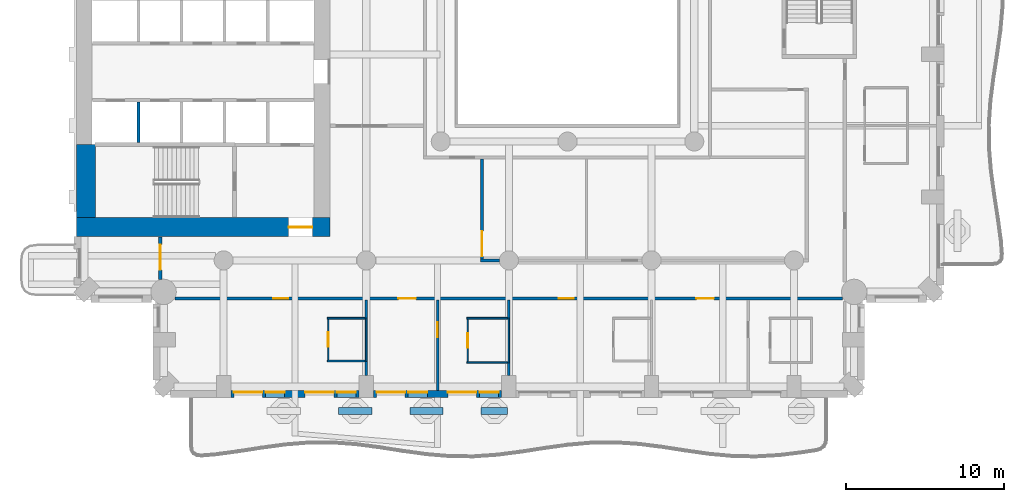
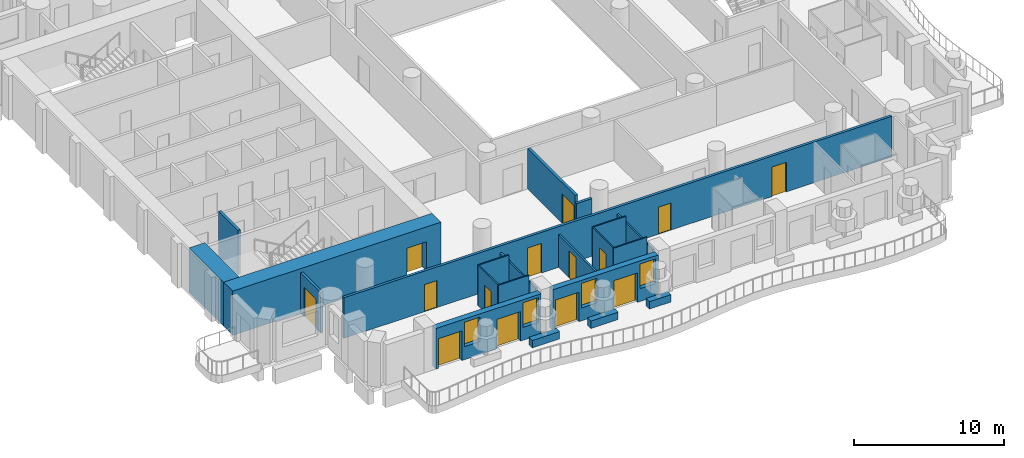
# One storey, part 3 of 19: 25 walls, 14 doors, 4 windows, 18 openings.
"""IFC4 building model written with IfcOpenShell, lengths in metres."""

from ifc_helpers import new_model, si_unit, direction, frame, frame_2d, origin, place, context, subcontext, project, spatial, rectangle, extrude, material, layer, layer_set, type_object, element, fill, save


model = new_model("IFC4")

# Units and contexts
model_context = context("Model", 3, precision=1e-05, world=origin(), true_north=direction((0.0, 1.0)))
body_context = subcontext(model_context, "Body", "Model", "MODEL_VIEW")
ifc_project = project(units=[si_unit("LENGTHUNIT", "METRE"), si_unit("AREAUNIT", "SQUARE_METRE"), si_unit("VOLUMEUNIT", "CUBIC_METRE"), si_unit("PLANEANGLEUNIT", "RADIAN"), si_unit("MASSUNIT", "GRAM", prefix="KILO")], contexts=[model_context])

# Site, building, storey
site_placement = place(None, origin())
site = spatial("IfcSite", under=ifc_project, at=site_placement, CompositionType="ELEMENT")
building_placement = place(site_placement, origin())
building = spatial("IfcBuilding", under=site, at=building_placement, Name="Cypress Arch Tower", CompositionType="ELEMENT")
storey_placement = place(building_placement, frame((0.0, 0.0, 98.699951171875)))
storey = spatial("IfcBuildingStorey", under=building, at=storey_placement, Name="L19", CompositionType="ELEMENT", Elevation=98.699951171875)

# Walls
ifc_material_1 = material(Name="Concrete C40/50, waterproofed", Category="concrete")
ifc_layer_1 = layer(ifc_material_1, 0.449951171875)
ifc_layer_set_1 = layer_set([ifc_layer_1], Name="Balcony planter wall PW450")
wall_type_1 = type_object("IfcWallType", Name="Balcony planter wall PW450", PredefinedType="SOLIDWALL", material=ifc_layer_set_1)
for number, where, z_axis, x_axis, name in (
    (1, (-13.449951171875, -27.0, 0.0), (0.0, 0.0, 1.0), (1.0, 0.0, 0.0), "Balcony planter wall L19-A03.2"),
    (2, (-8.949951171875, -27.0, 0.0), (0.0, 0.0, 1.0), (1.0, 0.0, 0.0), "Balcony planter wall L19-A03.3"),
):
    element("IfcWall", number, at=place(storey_placement, frame(where, z_axis=z_axis, x_axis=x_axis)), inside=storey, type_object=wall_type_1, Name=name, PredefinedType="SOLIDWALL", context=body_context, shape_type="SweptSolid", body=[
        extrude(rectangle(XDim=2.099853515625, YDim=0.449951171875, at=frame_2d((1.0498046875, 0.0))), origin(), (0.0, 0.0, 1.0), 0.60009765625),
    ])
wall_1_placement = place(storey_placement, frame((-4.449951171875, -27.0, 0.0), z_axis=(0.0, 0.0, 1.0), x_axis=(1.0, 0.0, 0.0)))
element("IfcWall", 3, at=wall_1_placement, inside=storey, type_object=wall_type_1, Name="Balcony planter wall L19-A03.4", PredefinedType="SOLIDWALL", context=body_context, shape_type="SweptSolid", body=[
    extrude(rectangle(XDim=1.64990234375, YDim=0.449951171875, at=frame_2d((0.824951171875, 0.0))), origin(), (0.0, 0.0, 1.0), 0.60009765625),
])

# Wall, openings, doors, windows
ifc_material_2 = material(Name="Brick (red buff blend)", Category="masonry")
ifc_layer_2 = layer(ifc_material_2, 0.449951171875)
ifc_layer_set_2 = layer_set([ifc_layer_2], Name="Brick pier and spandrel wall BW450")
wall_type_2 = type_object("IfcWallType", Name="Brick pier and spandrel wall BW450", PredefinedType="SOLIDWALL", material=ifc_layer_set_2)
wall_2_placement = place(storey_placement, frame((-20.25, -25.925048828125, 0.0), z_axis=(0.0, 0.0, 1.0), x_axis=(1.0, 0.0, 0.0)))
wall_2 = element("IfcWall", 4, at=wall_2_placement, inside=storey, type_object=wall_type_2, Name="Brick wall L19 A03.1", PredefinedType="SOLIDWALL", context=body_context, shape_type="SweptSolid", body=[
    extrude(rectangle(XDim=8.10009765625, YDim=0.449951171875, at=frame_2d((4.050048828125, 0.0))), origin(), (0.0, 0.0, 1.0), 3.300048828125),
])
opening_1_placement = place(wall_2_placement, frame((0.199951171875, 0.0, 0.0)))
opening_1 = element("IfcOpeningElement", 5, at=opening_1_placement, cuts=wall_2, Name="Opening D-L19-A03.1.1", PredefinedType="OPENING", context=body_context, shape_type="SweptSolid", body=[
    extrude(rectangle(XDim=1.800048828125, YDim=2.39990234375, at=frame_2d((0.89990234375, 1.199951171875))), frame((0.0, 0.23486328125, 0.0), z_axis=(0.0, -1.0, 0.0), x_axis=(1.0, 0.0, 0.0)), (0.0, 0.0, 1.0), 0.469970703125),
])
opening_2_placement = place(wall_2_placement, frame((2.199951171875, 0.0, 1.050048828125)))
opening_2 = element("IfcOpeningElement", 6, at=opening_2_placement, cuts=wall_2, Name="Opening W120HD", PredefinedType="OPENING", context=body_context, shape_type="SweptSolid", body=[
    extrude(rectangle(XDim=1.199951171875, YDim=2.0, at=frame_2d((0.60009765625, 1.0))), frame((0.0, 0.23486328125, 0.0), z_axis=(0.0, -1.0, 0.0), x_axis=(1.0, 0.0, 0.0)), (0.0, 0.0, 1.0), 0.469970703125),
])
opening_3_placement = place(wall_2_placement, frame((4.699951171875, 0.0, 0.0)))
opening_3 = element("IfcOpeningElement", 7, at=opening_3_placement, cuts=wall_2, Name="Opening D-L19-A03.1.2", PredefinedType="OPENING", context=body_context, shape_type="SweptSolid", body=[
    extrude(rectangle(XDim=1.800048828125, YDim=2.39990234375, at=frame_2d((0.89990234375, 1.199951171875))), frame((0.0, 0.23486328125, 0.0), z_axis=(0.0, -1.0, 0.0), x_axis=(1.0, 0.0, 0.0)), (0.0, 0.0, 1.0), 0.469970703125),
])
opening_4_placement = place(wall_2_placement, frame((6.699951171875, 0.0, 1.050048828125)))
opening_4 = element("IfcOpeningElement", 8, at=opening_4_placement, cuts=wall_2, Name="Opening W120HD", PredefinedType="OPENING", context=body_context, shape_type="SweptSolid", body=[
    extrude(rectangle(XDim=1.199951171875, YDim=2.0, at=frame_2d((0.60009765625, 1.0))), frame((0.0, 0.23486328125, 0.0), z_axis=(0.0, -1.0, 0.0), x_axis=(1.0, 0.0, 0.0)), (0.0, 0.0, 1.0), 0.469970703125),
])
ifc_material_3 = material(Name="Anodised aluminium, bronze finish, laminated low-emissivity double glazing, large-missile impact rated", Category="aluminium")
door_type_1 = type_object("IfcDoorType", Name="Balcony sliding door 1800x2400", OperationType="SLIDING_TO_LEFT", PredefinedType="DOOR", material=ifc_material_3)
door_1_placement = place(opening_1_placement, origin())
door_1 = element("IfcDoor", 9, at=door_1_placement, inside=storey, type_object=door_type_1, Name="Balcony door L19 A03.1.1", OperationType="SLIDING_TO_LEFT", OverallHeight=2.39990234375, OverallWidth=1.800048828125, PredefinedType="DOOR", context=body_context, shape_type="SweptSolid", body=[
    extrude(rectangle(XDim=1.800048828125, YDim=2.39990234375, at=frame_2d((0.89990234375, 1.199951171875))), frame((0.0, 0.1298828125, 0.0), z_axis=(0.0, -1.0, 0.0), x_axis=(1.0, 0.0, 0.0)), (0.0, 0.0, 1.0), 0.050048828125),
])
fill(opening_1, door_1)
door_2_placement = place(opening_3_placement, origin())
door_2 = element("IfcDoor", 10, at=door_2_placement, inside=storey, type_object=door_type_1, Name="Balcony door L19 A03.1.2", OperationType="SLIDING_TO_LEFT", OverallHeight=2.39990234375, OverallWidth=1.800048828125, PredefinedType="DOOR", context=body_context, shape_type="SweptSolid", body=[
    extrude(rectangle(XDim=1.800048828125, YDim=2.39990234375, at=frame_2d((0.89990234375, 1.199951171875))), frame((0.0, 0.1298828125, 0.0), z_axis=(0.0, -1.0, 0.0), x_axis=(1.0, 0.0, 0.0)), (0.0, 0.0, 1.0), 0.050048828125),
])
fill(opening_3, door_2)
ifc_material_4 = material(Name="Anodised aluminium, bronze finish, laminated low-emissivity double glazing, large-missile impact rated", Category="aluminium")
window_type = type_object("IfcWindowType", Name="Window Hotel 1200x2000 debris-rated", PartitioningType="SINGLE_PANEL", PredefinedType="WINDOW", material=ifc_material_4)
window_1_placement = place(opening_2_placement, origin())
window_1 = element("IfcWindow", 11, at=window_1_placement, inside=storey, type_object=window_type, Name="Window L19 A03.1.1", OverallHeight=2.0, OverallWidth=1.199951171875, PartitioningType="SINGLE_PANEL", PredefinedType="WINDOW", context=body_context, shape_type="SweptSolid", body=[
    extrude(rectangle(XDim=1.199951171875, YDim=2.0, at=frame_2d((0.60009765625, 1.0))), frame((0.0, 0.135009765625, 0.0), z_axis=(0.0, -1.0, 0.0), x_axis=(1.0, 0.0, 0.0)), (0.0, 0.0, 1.0), 0.06005859375),
])
fill(opening_2, window_1)
window_2_placement = place(opening_4_placement, origin())
window_2 = element("IfcWindow", 12, at=window_2_placement, inside=storey, type_object=window_type, Name="Window L19 A03.1.2", OverallHeight=2.0, OverallWidth=1.199951171875, PartitioningType="SINGLE_PANEL", PredefinedType="WINDOW", context=body_context, shape_type="SweptSolid", body=[
    extrude(rectangle(XDim=1.199951171875, YDim=2.0, at=frame_2d((0.60009765625, 1.0))), frame((0.0, 0.135009765625, 0.0), z_axis=(0.0, -1.0, 0.0), x_axis=(1.0, 0.0, 0.0)), (0.0, 0.0, 1.0), 0.06005859375),
])
fill(opening_4, window_2)

wall_3_placement = place(storey_placement, frame((-11.25, -25.925048828125, 0.0), z_axis=(0.0, 0.0, 1.0), x_axis=(1.0, 0.0, 0.0)))
wall_3 = element("IfcWall", 13, at=wall_3_placement, inside=storey, type_object=wall_type_2, Name="Brick wall L19 A03.2", PredefinedType="SOLIDWALL", context=body_context, shape_type="SweptSolid", body=[
    extrude(rectangle(XDim=8.10009765625, YDim=0.449951171875, at=frame_2d((4.050048828125, 0.0))), origin(), (0.0, 0.0, 1.0), 3.300048828125),
])
opening_5_placement = place(wall_3_placement, frame((0.199951171875, 0.0, 0.0)))
opening_5 = element("IfcOpeningElement", 14, at=opening_5_placement, cuts=wall_3, Name="Opening D-L19-A03.2.1", PredefinedType="OPENING", context=body_context, shape_type="SweptSolid", body=[
    extrude(rectangle(XDim=1.800048828125, YDim=2.39990234375, at=frame_2d((0.89990234375, 1.199951171875))), frame((0.0, 0.23486328125, 0.0), z_axis=(0.0, -1.0, 0.0), x_axis=(1.0, 0.0, 0.0)), (0.0, 0.0, 1.0), 0.469970703125),
])
opening_6_placement = place(wall_3_placement, frame((2.199951171875, 0.0, 1.050048828125)))
opening_6 = element("IfcOpeningElement", 15, at=opening_6_placement, cuts=wall_3, Name="Opening W120HD", PredefinedType="OPENING", context=body_context, shape_type="SweptSolid", body=[
    extrude(rectangle(XDim=1.199951171875, YDim=2.0, at=frame_2d((0.60009765625, 1.0))), frame((0.0, 0.23486328125, 0.0), z_axis=(0.0, -1.0, 0.0), x_axis=(1.0, 0.0, 0.0)), (0.0, 0.0, 1.0), 0.469970703125),
])
opening_7_placement = place(wall_3_placement, frame((4.699951171875, 0.0, 0.0)))
opening_7 = element("IfcOpeningElement", 16, at=opening_7_placement, cuts=wall_3, Name="Opening D-L19-A03.2.2", PredefinedType="OPENING", context=body_context, shape_type="SweptSolid", body=[
    extrude(rectangle(XDim=1.800048828125, YDim=2.39990234375, at=frame_2d((0.89990234375, 1.199951171875))), frame((0.0, 0.23486328125, 0.0), z_axis=(0.0, -1.0, 0.0), x_axis=(1.0, 0.0, 0.0)), (0.0, 0.0, 1.0), 0.469970703125),
])
opening_8_placement = place(wall_3_placement, frame((6.699951171875, 0.0, 1.050048828125)))
opening_8 = element("IfcOpeningElement", 17, at=opening_8_placement, cuts=wall_3, Name="Opening W120HD", PredefinedType="OPENING", context=body_context, shape_type="SweptSolid", body=[
    extrude(rectangle(XDim=1.199951171875, YDim=2.0, at=frame_2d((0.60009765625, 1.0))), frame((0.0, 0.23486328125, 0.0), z_axis=(0.0, -1.0, 0.0), x_axis=(1.0, 0.0, 0.0)), (0.0, 0.0, 1.0), 0.469970703125),
])
door_3_placement = place(opening_5_placement, origin())
door_3 = element("IfcDoor", 18, at=door_3_placement, inside=storey, type_object=door_type_1, Name="Balcony door L19 A03.2.1", OperationType="SLIDING_TO_LEFT", OverallHeight=2.39990234375, OverallWidth=1.800048828125, PredefinedType="DOOR", context=body_context, shape_type="SweptSolid", body=[
    extrude(rectangle(XDim=1.800048828125, YDim=2.39990234375, at=frame_2d((0.89990234375, 1.199951171875))), frame((0.0, 0.1298828125, 0.0), z_axis=(0.0, -1.0, 0.0), x_axis=(1.0, 0.0, 0.0)), (0.0, 0.0, 1.0), 0.050048828125),
])
fill(opening_5, door_3)
door_4_placement = place(opening_7_placement, origin())
door_4 = element("IfcDoor", 19, at=door_4_placement, inside=storey, type_object=door_type_1, Name="Balcony door L19 A03.2.2", OperationType="SLIDING_TO_LEFT", OverallHeight=2.39990234375, OverallWidth=1.800048828125, PredefinedType="DOOR", context=body_context, shape_type="SweptSolid", body=[
    extrude(rectangle(XDim=1.800048828125, YDim=2.39990234375, at=frame_2d((0.89990234375, 1.199951171875))), frame((0.0, 0.1298828125, 0.0), z_axis=(0.0, -1.0, 0.0), x_axis=(1.0, 0.0, 0.0)), (0.0, 0.0, 1.0), 0.050048828125),
])
fill(opening_7, door_4)
window_3_placement = place(opening_6_placement, origin())
window_3 = element("IfcWindow", 20, at=window_3_placement, inside=storey, type_object=window_type, Name="Window L19 A03.2.1", OverallHeight=2.0, OverallWidth=1.199951171875, PartitioningType="SINGLE_PANEL", PredefinedType="WINDOW", context=body_context, shape_type="SweptSolid", body=[
    extrude(rectangle(XDim=1.199951171875, YDim=2.0, at=frame_2d((0.60009765625, 1.0))), frame((0.0, 0.135009765625, 0.0), z_axis=(0.0, -1.0, 0.0), x_axis=(1.0, 0.0, 0.0)), (0.0, 0.0, 1.0), 0.06005859375),
])
fill(opening_6, window_3)
window_4_placement = place(opening_8_placement, origin())
window_4 = element("IfcWindow", 21, at=window_4_placement, inside=storey, type_object=window_type, Name="Window L19 A03.2.2", OverallHeight=2.0, OverallWidth=1.199951171875, PartitioningType="SINGLE_PANEL", PredefinedType="WINDOW", context=body_context, shape_type="SweptSolid", body=[
    extrude(rectangle(XDim=1.199951171875, YDim=2.0, at=frame_2d((0.60009765625, 1.0))), frame((0.0, 0.135009765625, 0.0), z_axis=(0.0, -1.0, 0.0), x_axis=(1.0, 0.0, 0.0)), (0.0, 0.0, 1.0), 0.06005859375),
])
fill(opening_8, window_4)

# Wall, opening, door
ifc_material_5 = material(Name="Concrete C80/95", Category="concrete")
ifc_layer_3 = layer(ifc_material_5, 1.199951171875)
ifc_layer_set_3 = layer_set([ifc_layer_3], Name="Core wall CW1200 C80/95")
wall_type_3 = type_object("IfcWallType", Name="Core wall CW1200 C80/95", PredefinedType="SHEAR", material=ifc_layer_set_3)
wall_4_placement = place(storey_placement, frame((-30.0, -15.39990234375, 0.0), z_axis=(0.0, 0.0, 1.0), x_axis=(1.0, 0.0, 0.0)))
wall_4 = element("IfcWall", 22, at=wall_4_placement, inside=storey, type_object=wall_type_3, Name="Core wall", PredefinedType="SHEAR", context=body_context, shape_type="SweptSolid", body=[
    extrude(rectangle(XDim=16.0, YDim=1.199951171875, at=frame_2d((8.0, 0.0))), origin(), (0.0, 0.0, 1.0), 3.60009765625),
])
opening_9_placement = place(wall_4_placement, frame((13.39990234375, 0.0, 0.0)))
opening_9 = element("IfcOpeningElement", 23, at=opening_9_placement, cuts=wall_4, Name="Opening D07", PredefinedType="OPENING", context=body_context, shape_type="SweptSolid", body=[
    extrude(rectangle(XDim=1.5, YDim=2.39990234375, at=frame_2d((0.75, 1.199951171875))), frame((0.0, 0.60986328125, 0.0), z_axis=(0.0, -1.0, 0.0), x_axis=(1.0, 0.0, 0.0)), (0.0, 0.0, 1.0), 1.219970703125),
])
ifc_material_6 = material(Name="Steel framed glazed door, fire resisting", Category="steel")
door_type_2 = type_object("IfcDoorType", Name="Lobby door D07 1500x2400", OperationType="DOUBLE_DOOR_SINGLE_SWING", PredefinedType="DOOR", material=ifc_material_6)
door_5_placement = place(opening_9_placement, origin())
door_5 = element("IfcDoor", 24, at=door_5_placement, inside=storey, type_object=door_type_2, Name="Lobby door", OperationType="DOUBLE_DOOR_SINGLE_SWING", OverallHeight=2.39990234375, OverallWidth=1.5, PredefinedType="DOOR", context=body_context, shape_type="SweptSolid", body=[
    extrude(rectangle(XDim=1.5, YDim=2.39990234375, at=frame_2d((0.75, 1.199951171875))), frame((0.0, 0.02490234375, 0.0), z_axis=(0.0, -1.0, 0.0), x_axis=(1.0, 0.0, 0.0)), (0.0, 0.0, 1.0), 0.050048828125),
])
fill(opening_9, door_5)

# Wall
wall_5_placement = place(storey_placement, frame((-29.39990234375, -14.800048828125, 0.0), z_axis=(0.0, 0.0, 1.0), x_axis=(0.0, 1.0, 0.0)))
element("IfcWall", 25, at=wall_5_placement, inside=storey, type_object=wall_type_3, Name="Core wall", PredefinedType="SHEAR", context=body_context, shape_type="SweptSolid", body=[
    extrude(rectangle(XDim=4.60009765625, YDim=1.199951171875, at=frame_2d((2.300048828125, 0.0))), origin(), (0.0, 0.0, 1.0), 3.60009765625),
])

# Wall, opening, door
ifc_material_7 = material(Name="Concrete blockwork, plastered, rated", Category="masonry")
ifc_layer_4 = layer(ifc_material_7, 0.199951171875)
ifc_layer_set_4 = layer_set([ifc_layer_4], Name="Corridor wall FW200")
wall_type_4 = type_object("IfcWallType", Name="Corridor wall FW200", PredefinedType="PARTITIONING", material=ifc_layer_set_4)
wall_6_placement = place(storey_placement, frame((-24.699951171875, -18.7001953125, 0.0), z_axis=(0.0, 0.0, 1.0), x_axis=(0.0, 1.0, 0.0)))
wall_6 = element("IfcWall", 26, at=wall_6_placement, inside=storey, type_object=wall_type_4, Name="Corridor wall", PredefinedType="PARTITIONING", context=body_context, shape_type="SweptSolid", body=[
    extrude(rectangle(XDim=2.670166015625, YDim=0.199951171875, at=frame_2d((1.3349609375, 0.0))), origin(), (0.0, 0.0, 1.0), 3.300048828125),
])
opening_10_placement = place(wall_6_placement, frame((0.60009765625, 0.0, 0.0)))
opening_10 = element("IfcOpeningElement", 27, at=opening_10_placement, cuts=wall_6, Name="Opening D10", PredefinedType="OPENING", context=body_context, shape_type="SweptSolid", body=[
    extrude(rectangle(XDim=1.60009765625, YDim=2.39990234375, at=frame_2d((0.800048828125, 1.199951171875))), frame((0.0, 0.10986328125, 0.0), z_axis=(0.0, -1.0, 0.0), x_axis=(1.0, 0.0, 0.0)), (0.0, 0.0, 1.0), 0.219970703125),
])
ifc_material_8 = material(Name="Black aluminium glazed door", Category="aluminium")
door_type_3 = type_object("IfcDoorType", Name="Amenity door D10 1600x2400", OperationType="DOUBLE_DOOR_SINGLE_SWING", PredefinedType="DOOR", material=ifc_material_8)
door_6_placement = place(opening_10_placement, origin())
door_6 = element("IfcDoor", 28, at=door_6_placement, inside=storey, type_object=door_type_3, Name="Amenity door", OperationType="DOUBLE_DOOR_SINGLE_SWING", OverallHeight=2.39990234375, OverallWidth=1.60009765625, PredefinedType="DOOR", context=body_context, shape_type="SweptSolid", body=[
    extrude(rectangle(XDim=1.60009765625, YDim=2.39990234375, at=frame_2d((0.800048828125, 1.199951171875))), frame((0.0, 0.02490234375, 0.0), z_axis=(0.0, -1.0, 0.0), x_axis=(1.0, 0.0, 0.0)), (0.0, 0.0, 1.0), 0.050048828125),
])
fill(opening_10, door_6)

# Wall, openings, doors
wall_7_placement = place(storey_placement, frame((-23.765380859375, -19.89990234375, 0.0), z_axis=(0.0, 0.0, 1.0), x_axis=(1.0, 0.0, 0.0)))
wall_7 = element("IfcWall", 29, at=wall_7_placement, inside=storey, type_object=wall_type_4, Name="Corridor wall", PredefinedType="PARTITIONING", context=body_context, shape_type="SweptSolid", body=[
    extrude(rectangle(XDim=42.12548828125, YDim=0.199951171875, at=frame_2d((21.062744140625, 0.0))), origin(), (0.0, 0.0, 1.0), 3.300048828125),
])
opening_11_placement = place(wall_7_placement, frame((6.199951171875, 0.0, 0.0)))
opening_11 = element("IfcOpeningElement", 30, at=opening_11_placement, cuts=wall_7, Name="Opening D02", PredefinedType="OPENING", context=body_context, shape_type="SweptSolid", body=[
    extrude(rectangle(XDim=0.949951171875, YDim=2.199951171875, at=frame_2d((0.47509765625, 1.10009765625))), frame((0.0, 0.10986328125, 0.0), z_axis=(0.0, -1.0, 0.0), x_axis=(1.0, 0.0, 0.0)), (0.0, 0.0, 1.0), 0.219970703125),
])
opening_12_placement = place(wall_7_placement, frame((14.10009765625, 0.0, 0.0)))
opening_12 = element("IfcOpeningElement", 31, at=opening_12_placement, cuts=wall_7, Name="Opening D01", PredefinedType="OPENING", context=body_context, shape_type="SweptSolid", body=[
    extrude(rectangle(XDim=1.10009765625, YDim=2.39990234375, at=frame_2d((0.550048828125, 1.199951171875))), frame((0.0, 0.10986328125, 0.0), z_axis=(0.0, -1.0, 0.0), x_axis=(1.0, 0.0, 0.0)), (0.0, 0.0, 1.0), 0.219970703125),
])
opening_13_placement = place(wall_7_placement, frame((24.199951171875, 0.0, 0.0)))
opening_13 = element("IfcOpeningElement", 32, at=opening_13_placement, cuts=wall_7, Name="Opening D02", PredefinedType="OPENING", context=body_context, shape_type="SweptSolid", body=[
    extrude(rectangle(XDim=0.949951171875, YDim=2.199951171875, at=frame_2d((0.47509765625, 1.10009765625))), frame((0.0, 0.10986328125, 0.0), z_axis=(0.0, -1.0, 0.0), x_axis=(1.0, 0.0, 0.0)), (0.0, 0.0, 1.0), 0.219970703125),
])
opening_14_placement = place(wall_7_placement, frame((32.89990234375, 0.0, 0.0)))
opening_14 = element("IfcOpeningElement", 33, at=opening_14_placement, cuts=wall_7, Name="Opening D01", PredefinedType="OPENING", context=body_context, shape_type="SweptSolid", body=[
    extrude(rectangle(XDim=1.10009765625, YDim=2.39990234375, at=frame_2d((0.550048828125, 1.199951171875))), frame((0.0, 0.10986328125, 0.0), z_axis=(0.0, -1.0, 0.0), x_axis=(1.0, 0.0, 0.0)), (0.0, 0.0, 1.0), 0.219970703125),
])
ifc_material_9 = material(Name="Timber flush door, fire resisting", Category="wood")
door_type_4 = type_object("IfcDoorType", Name="Room door D02 950x2200", OperationType="SINGLE_SWING_LEFT", PredefinedType="DOOR", material=ifc_material_9)
door_7_placement = place(opening_11_placement, origin())
door_7 = element("IfcDoor", 34, at=door_7_placement, inside=storey, type_object=door_type_4, Name="Room door", OperationType="SINGLE_SWING_RIGHT", OverallHeight=2.199951171875, OverallWidth=0.949951171875, PredefinedType="DOOR", context=body_context, shape_type="SweptSolid", body=[
    extrude(rectangle(XDim=0.949951171875, YDim=2.199951171875, at=frame_2d((0.47509765625, 1.10009765625))), frame((0.0, 0.02490234375, 0.0), z_axis=(0.0, -1.0, 0.0), x_axis=(1.0, 0.0, 0.0)), (0.0, 0.0, 1.0), 0.050048828125),
])
fill(opening_11, door_7)
door_8_placement = place(opening_13_placement, origin())
door_8 = element("IfcDoor", 35, at=door_8_placement, inside=storey, type_object=door_type_4, Name="Room door", OperationType="SINGLE_SWING_LEFT", OverallHeight=2.199951171875, OverallWidth=0.949951171875, PredefinedType="DOOR", context=body_context, shape_type="SweptSolid", body=[
    extrude(rectangle(XDim=0.949951171875, YDim=2.199951171875, at=frame_2d((0.47509765625, 1.10009765625))), frame((0.0, 0.02490234375, 0.0), z_axis=(0.0, -1.0, 0.0), x_axis=(1.0, 0.0, 0.0)), (0.0, 0.0, 1.0), 0.050048828125),
])
fill(opening_13, door_8)
ifc_material_10 = material(Name="Timber flush door, fire resisting, self-closing", Category="wood")
door_type_5 = type_object("IfcDoorType", Name="Unit entrance door D01 1100x2400", OperationType="SINGLE_SWING_LEFT", PredefinedType="DOOR", material=ifc_material_10)
door_9_placement = place(opening_12_placement, origin())
door_9 = element("IfcDoor", 36, at=door_9_placement, inside=storey, type_object=door_type_5, Name="Unit entrance door", OperationType="SINGLE_SWING_LEFT", OverallHeight=2.39990234375, OverallWidth=1.10009765625, PredefinedType="DOOR", context=body_context, shape_type="SweptSolid", body=[
    extrude(rectangle(XDim=1.10009765625, YDim=2.39990234375, at=frame_2d((0.550048828125, 1.199951171875))), frame((0.0, 0.02490234375, 0.0), z_axis=(0.0, -1.0, 0.0), x_axis=(1.0, 0.0, 0.0)), (0.0, 0.0, 1.0), 0.050048828125),
])
fill(opening_12, door_9)
door_10_placement = place(opening_14_placement, origin())
door_10 = element("IfcDoor", 37, at=door_10_placement, inside=storey, type_object=door_type_5, Name="Unit entrance door", OperationType="SINGLE_SWING_LEFT", OverallHeight=2.39990234375, OverallWidth=1.10009765625, PredefinedType="DOOR", context=body_context, shape_type="SweptSolid", body=[
    extrude(rectangle(XDim=1.10009765625, YDim=2.39990234375, at=frame_2d((0.550048828125, 1.199951171875))), frame((0.0, 0.02490234375, 0.0), z_axis=(0.0, -1.0, 0.0), x_axis=(1.0, 0.0, 0.0)), (0.0, 0.0, 1.0), 0.050048828125),
])
fill(opening_14, door_10)

# Wall, opening, door
wall_8_placement = place(storey_placement, frame((-4.39990234375, -17.39990234375, 0.0), z_axis=(0.0, 0.0, 1.0), x_axis=(0.0, 1.0, 0.0)))
wall_8 = element("IfcWall", 38, at=wall_8_placement, inside=storey, type_object=wall_type_4, Name="Corridor wall", PredefinedType="PARTITIONING", context=body_context, shape_type="SweptSolid", body=[
    extrude(rectangle(XDim=6.2998046875, YDim=0.199951171875, at=frame_2d((3.14990234375, 0.0))), origin(), (0.0, 0.0, 1.0), 3.300048828125),
])
opening_15_placement = place(wall_8_placement, frame((0.14990234375, 0.0, 0.0)))
opening_15 = element("IfcOpeningElement", 39, at=opening_15_placement, cuts=wall_8, Name="Opening D10", PredefinedType="OPENING", context=body_context, shape_type="SweptSolid", body=[
    extrude(rectangle(XDim=1.60009765625, YDim=2.39990234375, at=frame_2d((0.800048828125, 1.199951171875))), frame((0.0, 0.10986328125, 0.0), z_axis=(0.0, -1.0, 0.0), x_axis=(1.0, 0.0, 0.0)), (0.0, 0.0, 1.0), 0.219970703125),
])
door_11_placement = place(opening_15_placement, origin())
door_11 = element("IfcDoor", 40, at=door_11_placement, inside=storey, type_object=door_type_3, Name="Amenity door", OperationType="DOUBLE_DOOR_SINGLE_SWING", OverallHeight=2.39990234375, OverallWidth=1.60009765625, PredefinedType="DOOR", context=body_context, shape_type="SweptSolid", body=[
    extrude(rectangle(XDim=1.60009765625, YDim=2.39990234375, at=frame_2d((0.800048828125, 1.199951171875))), frame((0.0, 0.02490234375, 0.0), z_axis=(0.0, -1.0, 0.0), x_axis=(1.0, 0.0, 0.0)), (0.0, 0.0, 1.0), 0.050048828125),
])
fill(opening_15, door_11)

# Walls
wall_9_placement = place(storey_placement, frame((-4.5, -17.5, 0.0), z_axis=(0.0, 0.0, 1.0), x_axis=(1.0, 0.0, 0.0)))
element("IfcWall", 41, at=wall_9_placement, inside=storey, type_object=wall_type_4, Name="Corridor wall", PredefinedType="PARTITIONING", context=body_context, shape_type="SweptSolid", body=[
    extrude(rectangle(XDim=1.199951171875, YDim=0.199951171875, at=frame_2d((0.60009765625, 0.0))), origin(), (0.0, 0.0, 1.0), 2.75),
])
ifc_material_11 = material(Name="Blockwork, plastered both sides", Category="masonry")
ifc_layer_5 = layer(ifc_material_11, 0.14990234375)
ifc_layer_set_5 = layer_set([ifc_layer_5], Name="Partition PW150")
wall_type_5 = type_object("IfcWallType", Name="Partition PW150", PredefinedType="PARTITIONING", material=ifc_layer_set_5)
wall_10_placement = place(storey_placement, frame((-11.699951171875, -24.75, 0.0), z_axis=(0.0, 0.0, 1.0), x_axis=(0.0, 1.0, 0.0)))
element("IfcWall", 42, at=wall_10_placement, inside=storey, type_object=wall_type_5, Name="Partition", PredefinedType="PARTITIONING", context=body_context, shape_type="SweptSolid", body=[
    extrude(rectangle(XDim=0.8798828125, YDim=0.14990234375, at=frame_2d((0.43994140625, 0.0))), origin(), (0.0, 0.0, 1.0), 2.75),
])
wall_11_placement = place(storey_placement, frame((-11.699951171875, -21.1298828125, 0.0), z_axis=(0.0, 0.0, 1.0), x_axis=(0.0, 1.0, 0.0)))
element("IfcWall", 43, at=wall_11_placement, inside=storey, type_object=wall_type_5, Name="Partition", PredefinedType="PARTITIONING", context=body_context, shape_type="SweptSolid", body=[
    extrude(rectangle(XDim=1.1298828125, YDim=0.14990234375, at=frame_2d((0.56494140625, 0.0))), origin(), (0.0, 0.0, 1.0), 2.75),
])

# Wall, opening, door
wall_12_placement = place(storey_placement, frame((-7.199951171875, -25.699951171875, 0.0), z_axis=(0.0, 0.0, 1.0), x_axis=(0.0, 1.0, 0.0)))
wall_12 = element("IfcWall", 44, at=wall_12_placement, inside=storey, type_object=wall_type_5, Name="Partition", PredefinedType="PARTITIONING", context=body_context, shape_type="SweptSolid", body=[
    extrude(rectangle(XDim=5.699951171875, YDim=0.14990234375, at=frame_2d((2.85009765625, 0.0))), origin(), (0.0, 0.0, 1.0), 2.650146484375),
])
opening_16_placement = place(wall_12_placement, frame((3.35009765625, 0.0, 0.0)))
opening_16 = element("IfcOpeningElement", 45, at=opening_16_placement, cuts=wall_12, Name="Opening D12", PredefinedType="OPENING", context=body_context, shape_type="SweptSolid", body=[
    extrude(rectangle(XDim=0.949951171875, YDim=2.199951171875, at=frame_2d((0.47509765625, 1.10009765625))), frame((0.0, 0.0849609375, 0.0), z_axis=(0.0, -1.0, 0.0), x_axis=(1.0, 0.0, 0.0)), (0.0, 0.0, 1.0), 0.169921875),
])
ifc_material_12 = material(Name="Timber flush door", Category="wood")
door_type_6 = type_object("IfcDoorType", Name="Room door D12 950x2200", OperationType="SINGLE_SWING_LEFT", PredefinedType="DOOR", material=ifc_material_12)
door_12_placement = place(opening_16_placement, origin())
door_12 = element("IfcDoor", 46, at=door_12_placement, inside=storey, type_object=door_type_6, Name="Room door", OperationType="SINGLE_SWING_RIGHT", OverallHeight=2.199951171875, OverallWidth=0.949951171875, PredefinedType="DOOR", context=body_context, shape_type="SweptSolid", body=[
    extrude(rectangle(XDim=0.949951171875, YDim=2.199951171875, at=frame_2d((0.47509765625, 1.10009765625))), frame((0.0, 0.02490234375, 0.0), z_axis=(0.0, -1.0, 0.0), x_axis=(1.0, 0.0, 0.0)), (0.0, 0.0, 1.0), 0.050048828125),
])
fill(opening_16, door_12)

# Walls
wall_13_placement = place(storey_placement, frame((-2.699951171875, -24.75, 0.0), z_axis=(0.0, 0.0, 1.0), x_axis=(0.0, 1.0, 0.0)))
element("IfcWall", 47, at=wall_13_placement, inside=storey, type_object=wall_type_5, Name="Partition", PredefinedType="PARTITIONING", context=body_context, shape_type="SweptSolid", body=[
    extrude(rectangle(XDim=0.780029296875, YDim=0.14990234375, at=frame_2d((0.39013671875, 0.0))), origin(), (0.0, 0.0, 1.0), 2.75),
])
wall_14_placement = place(storey_placement, frame((-2.699951171875, -21.1298828125, 0.0), z_axis=(0.0, 0.0, 1.0), x_axis=(0.0, 1.0, 0.0)))
element("IfcWall", 48, at=wall_14_placement, inside=storey, type_object=wall_type_5, Name="Partition", PredefinedType="PARTITIONING", context=body_context, shape_type="SweptSolid", body=[
    extrude(rectangle(XDim=1.1298828125, YDim=0.14990234375, at=frame_2d((0.56494140625, 0.0))), origin(), (0.0, 0.0, 1.0), 2.75),
])
ifc_material_13 = material(Name="Concrete C50/60", Category="concrete")
ifc_layer_6 = layer(ifc_material_13, 0.199951171875)
ifc_layer_set_6 = layer_set([ifc_layer_6], Name="Shaft wall SH200")
wall_type_6 = type_object("IfcWallType", Name="Shaft wall SH200", PredefinedType="SHEAR", material=ifc_layer_set_6)
wall_15_placement = place(storey_placement, frame((-26.080078125, -10.074951171875, 0.0), z_axis=(0.0, 0.0, 1.0), x_axis=(0.0, 1.0, 0.0)))
element("IfcWall", 49, at=wall_15_placement, inside=storey, type_object=wall_type_6, Name="Shaft wall", PredefinedType="SHEAR", context=body_context, shape_type="SweptSolid", body=[
    extrude(rectangle(XDim=2.574951171875, YDim=0.199951171875, at=frame_2d((1.28759765625, 0.0))), origin(), (0.0, 0.0, 1.0), 3.60009765625),
])

# Wall, opening, door
ifc_material_14 = material(Name="Moisture resistant board on steel studs, tiled", Category="steel")
ifc_layer_7 = layer(ifc_material_14, 0.10009765625)
ifc_layer_set_7 = layer_set([ifc_layer_7], Name="Wet wall PW100")
wall_type_7 = type_object("IfcWallType", Name="Wet wall PW100", PredefinedType="PARTITIONING", material=ifc_layer_set_7)
wall_16_placement = place(storey_placement, frame((-14.095947265625, -23.800048828125, 0.0), z_axis=(0.0, 0.0, 1.0), x_axis=(0.0, 1.0, 0.0)))
wall_16 = element("IfcWall", 50, at=wall_16_placement, inside=storey, type_object=wall_type_7, Name="Wet wall", PredefinedType="PARTITIONING", context=body_context, shape_type="SweptSolid", body=[
    extrude(rectangle(XDim=2.60009765625, YDim=0.10009765625, at=frame_2d((1.300048828125, 0.0))), origin(), (0.0, 0.0, 1.0), 3.300048828125),
])
opening_17_placement = place(wall_16_placement, frame((0.85009765625, 0.0, 0.0)))
opening_17 = element("IfcOpeningElement", 51, at=opening_17_placement, cuts=wall_16, Name="Opening D03", PredefinedType="OPENING", context=body_context, shape_type="SweptSolid", body=[
    extrude(rectangle(XDim=0.89990234375, YDim=2.199951171875, at=frame_2d((0.449951171875, 1.10009765625))), frame((0.0, 0.06005859375, 0.0), z_axis=(0.0, -1.0, 0.0), x_axis=(1.0, 0.0, 0.0)), (0.0, 0.0, 1.0), 0.1201171875),
])
ifc_material_15 = material(Name="Timber flush door, moisture resistant", Category="wood")
door_type_7 = type_object("IfcDoorType", Name="Bathroom door D03 900x2200", OperationType="SINGLE_SWING_LEFT", PredefinedType="DOOR", material=ifc_material_15)
door_13_placement = place(opening_17_placement, origin())
door_13 = element("IfcDoor", 52, at=door_13_placement, inside=storey, type_object=door_type_7, Name="Bathroom door", OperationType="SINGLE_SWING_RIGHT", OverallHeight=2.199951171875, OverallWidth=0.89990234375, PredefinedType="DOOR", context=body_context, shape_type="SweptSolid", body=[
    extrude(rectangle(XDim=0.89990234375, YDim=2.199951171875, at=frame_2d((0.449951171875, 1.10009765625))), frame((0.0, 0.02490234375, 0.0), z_axis=(0.0, -1.0, 0.0), x_axis=(1.0, 0.0, 0.0)), (0.0, 0.0, 1.0), 0.050048828125),
])
fill(opening_17, door_13)

# Walls
for number, where, z_axis, x_axis, name in (
    (53, (-14.14599609375, -23.85009765625, 0.0), (0.0, 0.0, 1.0), (1.0, 0.0, 0.0), "Wet wall"),
    (54, (-14.14599609375, -21.14990234375, 0.0), (0.0, 0.0, 1.0), (1.0, 0.0, 0.0), "Wet wall"),
):
    element("IfcWall", number, at=place(storey_placement, frame(where, z_axis=z_axis, x_axis=x_axis)), inside=storey, type_object=wall_type_7, Name=name, PredefinedType="PARTITIONING", context=body_context, shape_type="SweptSolid", body=[
        extrude(rectangle(XDim=2.37109375, YDim=0.10009765625, at=frame_2d((1.185546875, 0.0))), origin(), (0.0, 0.0, 1.0), 3.300048828125),
    ])
wall_17_placement = place(storey_placement, frame((-11.699951171875, -23.8701171875, 0.0), z_axis=(0.0, 0.0, 1.0), x_axis=(0.0, 1.0, 0.0)))
element("IfcWall", 55, at=wall_17_placement, inside=storey, type_object=wall_type_7, Name="Wet wall", PredefinedType="PARTITIONING", context=body_context, shape_type="SweptSolid", body=[
    extrude(rectangle(XDim=2.740234375, YDim=0.10009765625, at=frame_2d((1.3701171875, 0.0))), origin(), (0.0, 0.0, 1.0), 2.75),
])

# Wall, opening, door
wall_18_placement = place(storey_placement, frame((-5.2958984375, -23.89990234375, 0.0), z_axis=(0.0, 0.0, 1.0), x_axis=(0.0, 1.0, 0.0)))
wall_18 = element("IfcWall", 56, at=wall_18_placement, inside=storey, type_object=wall_type_7, Name="Wet wall", PredefinedType="PARTITIONING", context=body_context, shape_type="SweptSolid", body=[
    extrude(rectangle(XDim=2.699951171875, YDim=0.10009765625, at=frame_2d((1.35009765625, 0.0))), origin(), (0.0, 0.0, 1.0), 3.300048828125),
])
opening_18_placement = place(wall_18_placement, frame((0.89990234375, 0.0, 0.0)))
opening_18 = element("IfcOpeningElement", 57, at=opening_18_placement, cuts=wall_18, Name="Opening D03", PredefinedType="OPENING", context=body_context, shape_type="SweptSolid", body=[
    extrude(rectangle(XDim=0.89990234375, YDim=2.199951171875, at=frame_2d((0.449951171875, 1.10009765625))), frame((0.0, 0.06005859375, 0.0), z_axis=(0.0, -1.0, 0.0), x_axis=(1.0, 0.0, 0.0)), (0.0, 0.0, 1.0), 0.1201171875),
])
door_14_placement = place(opening_18_placement, origin())
door_14 = element("IfcDoor", 58, at=door_14_placement, inside=storey, type_object=door_type_7, Name="Bathroom door", OperationType="SINGLE_SWING_LEFT", OverallHeight=2.199951171875, OverallWidth=0.89990234375, PredefinedType="DOOR", context=body_context, shape_type="SweptSolid", body=[
    extrude(rectangle(XDim=0.89990234375, YDim=2.199951171875, at=frame_2d((0.449951171875, 1.10009765625))), frame((0.0, 0.02490234375, 0.0), z_axis=(0.0, -1.0, 0.0), x_axis=(1.0, 0.0, 0.0)), (0.0, 0.0, 1.0), 0.050048828125),
])
fill(opening_18, door_14)

# Walls
for number, where, z_axis, x_axis, name in (
    (59, (-5.345947265625, -23.949951171875, 0.0), (0.0, 0.0, 1.0), (1.0, 0.0, 0.0), "Wet wall"),
    (60, (-5.345947265625, -21.14990234375, 0.0), (0.0, 0.0, 1.0), (1.0, 0.0, 0.0), "Wet wall"),
):
    element("IfcWall", number, at=place(storey_placement, frame(where, z_axis=z_axis, x_axis=x_axis)), inside=storey, type_object=wall_type_7, Name=name, PredefinedType="PARTITIONING", context=body_context, shape_type="SweptSolid", body=[
        extrude(rectangle(XDim=2.571044921875, YDim=0.10009765625, at=frame_2d((1.28564453125, 0.0))), origin(), (0.0, 0.0, 1.0), 3.300048828125),
    ])
wall_19_placement = place(storey_placement, frame((-2.699951171875, -23.969970703125, 0.0), z_axis=(0.0, 0.0, 1.0), x_axis=(0.0, 1.0, 0.0)))
element("IfcWall", 61, at=wall_19_placement, inside=storey, type_object=wall_type_7, Name="Wet wall", PredefinedType="PARTITIONING", context=body_context, shape_type="SweptSolid", body=[
    extrude(rectangle(XDim=2.840087890625, YDim=0.10009765625, at=frame_2d((1.419921875, 0.0))), origin(), (0.0, 0.0, 1.0), 2.75),
])

save(model, "model.ifc")
